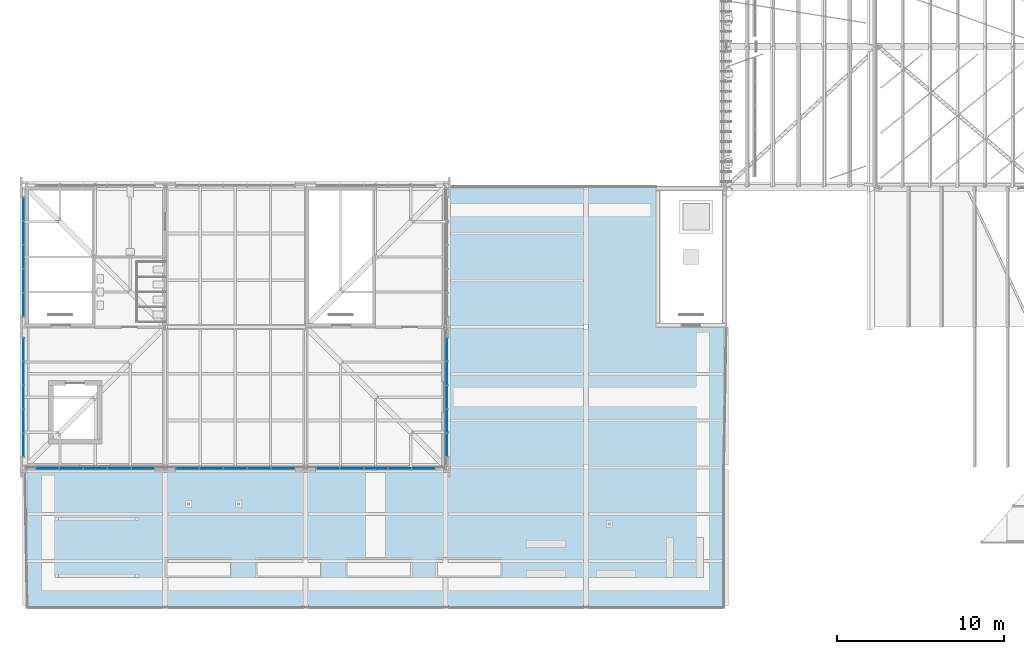
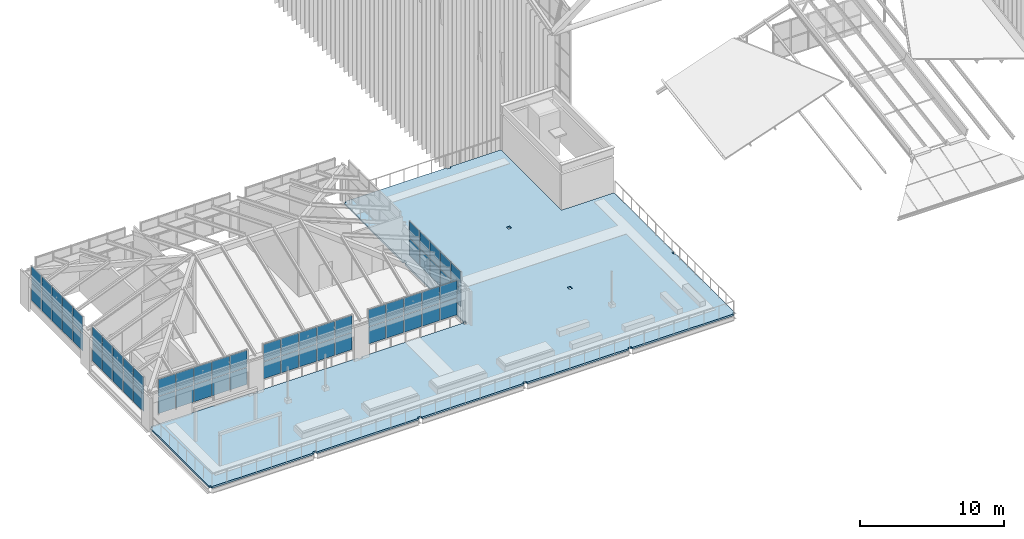
# One storey, part 69 of 126: 60 plates, 1 slab, 6 elements without a shape of their own.
"""IFC4 building model written with IfcOpenShell, lengths in metres."""

from ifc_helpers import new_model, si_unit, direction, frame, origin, origin_2d, place, context, subcontext, project, spatial, polyline, rectangle, outline, extrude, material, layer, layer_set, type_object, element, aggregate, save


model = new_model("IFC4")

# Units and contexts
model_context = context("Model", 3, precision=1e-05, world=origin(), true_north=direction((0.0, 1.0)))
body_context = subcontext(model_context, "Body", "Model", "MODEL_VIEW")
ifc_project = project(units=[si_unit("LENGTHUNIT", "METRE"), si_unit("AREAUNIT", "SQUARE_METRE"), si_unit("VOLUMEUNIT", "CUBIC_METRE"), si_unit("PLANEANGLEUNIT", "RADIAN"), si_unit("MASSUNIT", "GRAM", prefix="KILO")], contexts=[model_context])

# Site, building, storey
site_placement = place(None, origin())
site = spatial("IfcSite", under=ifc_project, at=site_placement, CompositionType="ELEMENT")
building_placement = place(site_placement, origin())
building = spatial("IfcBuilding", under=site, at=building_placement, Name="Sava Quay Ferry Terminal", CompositionType="ELEMENT")
storey_placement = place(building_placement, frame((0.0, 0.0, 15.0)))
storey = spatial("IfcBuildingStorey", under=building, at=storey_placement, Name="L03", CompositionType="ELEMENT", Elevation=15.0)

# Slab
ifc_material_1 = material(Name="Concrete C30/37", Category="concrete")
ifc_layer_1 = layer(ifc_material_1, 0.14990234375)
ifc_layer_set_1 = layer_set([ifc_layer_1], Name="Concrete C30/37")
slab_type = type_object("IfcSlabType", Name="Composite terrace slab 150", PredefinedType="ROOF", material=ifc_layer_set_1)
slab_placement = place(storey_placement, frame((0.0, 0.0, -0.14990234375)))
element("IfcSlab", 1, at=slab_placement, inside=storey, type_object=slab_type, Name="TX terrace slab L03", PredefinedType="ROOF", context=body_context, shape_type="SweptSolid", body=[
    extrude(outline(polyline([(42.0, 33.739990234375), (41.860107421875, 33.739990234375), (41.860107421875, 33.4599609375), (42.0, 33.4599609375), (42.0, 25.340087890625), (41.860107421875, 25.340087890625), (41.860107421875, 25.199951171875), (33.739990234375, 25.199951171875), (33.739990234375, 25.340087890625), (33.4599609375, 25.340087890625), (33.4599609375, 25.199951171875), (25.340087890625, 25.199951171875), (25.340087890625, 25.340087890625), (25.06005859375, 25.340087890625), (25.06005859375, 25.199951171875), (16.93994140625, 25.199951171875), (16.93994140625, 25.340087890625), (16.659912109375, 25.340087890625), (16.659912109375, 25.199951171875), (8.5400390625, 25.199951171875), (8.5400390625, 25.340087890625), (8.260009765625, 25.340087890625), (8.260009765625, 25.199951171875), (0.139892578125, 25.199951171875), (0.139892578125, 25.340087890625), (0.0, 25.340087890625), (0.0, 33.4599609375), (0.139892578125, 33.4599609375), (0.139892578125, 33.60009765625), (8.260009765625, 33.60009765625), (8.260009765625, 33.4599609375), (8.5400390625, 33.4599609375), (8.5400390625, 33.60009765625), (16.659912109375, 33.60009765625), (16.659912109375, 33.4599609375), (16.93994140625, 33.4599609375), (16.93994140625, 33.60009765625), (25.06005859375, 33.60009765625), (25.06005859375, 33.4599609375), (25.340087890625, 33.4599609375), (25.340087890625, 33.739990234375), (25.199951171875, 33.739990234375), (25.199951171875, 41.860107421875), (25.340087890625, 41.860107421875), (25.340087890625, 42.139892578125), (25.199951171875, 42.139892578125), (25.199951171875, 50.260009765625), (25.340087890625, 50.260009765625), (25.340087890625, 50.39990234375), (33.4599609375, 50.39990234375), (33.4599609375, 50.260009765625), (33.739990234375, 50.260009765625), (33.739990234375, 50.39990234375), (37.800048828125, 50.39990234375), (37.800048828125, 42.0), (42.0, 42.0), (42.0, 33.739990234375)]), holes=[polyline([(33.4599609375, 33.4599609375), (33.739990234375, 33.4599609375), (33.739990234375, 33.739990234375), (33.4599609375, 33.739990234375), (33.4599609375, 33.4599609375)]), polyline([(33.4599609375, 41.860107421875), (33.739990234375, 41.860107421875), (33.739990234375, 42.139892578125), (33.4599609375, 42.139892578125), (33.4599609375, 41.860107421875)])]), origin(), (0.0, 0.0, 1.0), 0.14990234375),
])

# Curtain wall, plates
ifc_material_2 = material(Name="Aluminium and glass curtain wall, double low-e glazed", Category="aluminium")
curtain_wall_type = type_object("IfcCurtainWallType", Name="Curtain wall CW-F flank", PredefinedType="NOTDEFINED", material=ifc_material_2)
curtain_wall_1_placement = place(storey_placement, origin())
curtain_wall_1 = element("IfcCurtainWall", 2, at=curtain_wall_1_placement, inside=storey, type_object=curtain_wall_type, Name="Curtain wall W-PAV-E L03 bay 1", PredefinedType="NOTDEFINED")
ifc_material_3 = material(Name="Laminated glass, double low-e glazed unit", Category="glass")
ifc_layer_2 = layer(ifc_material_3, 0.028076171875)
ifc_layer_set_2 = layer_set([ifc_layer_2], Name="Laminated glass, double low-e glazed unit")
plate_type = type_object("IfcPlateType", Name="Glass panel 28 double low-e", PredefinedType="CURTAIN_PANEL", material=ifc_layer_set_2)
plate_1_placement = place(storey_placement, frame((25.284912109375, 34.93505859375, 0.9501953125), z_axis=(0.0, 0.0, 1.0), x_axis=(0.0, 1.0, 0.0)))
plate_1 = element("IfcPlate", 3, at=plate_1_placement, type_object=plate_type, Name="CW121 panel 1.1", PredefinedType="CURTAIN_PANEL", context=body_context, shape_type="SweptSolid", body=[
    extrude(rectangle(XDim=1.35009765625, YDim=0.028076171875, at=origin_2d()), origin(), (0.0, 0.0, 1.0), 1.425048828125),
])
plate_2_placement = place(storey_placement, frame((25.284912109375, 34.93505859375, 2.4248046875), z_axis=(0.0, 0.0, 1.0), x_axis=(0.0, 1.0, 0.0)))
plate_2 = element("IfcPlate", 4, at=plate_2_placement, type_object=plate_type, Name="CW121 panel 1.2", PredefinedType="CURTAIN_PANEL", context=body_context, shape_type="SweptSolid", body=[
    extrude(rectangle(XDim=1.35009765625, YDim=0.028076171875, at=origin_2d()), origin(), (0.0, 0.0, 1.0), 1.425048828125),
])
plate_3_placement = place(storey_placement, frame((25.284912109375, 36.360107421875, 0.9501953125), z_axis=(0.0, 0.0, 1.0), x_axis=(0.0, 1.0, 0.0)))
plate_3 = element("IfcPlate", 5, at=plate_3_placement, type_object=plate_type, Name="CW121 panel 2.1", PredefinedType="CURTAIN_PANEL", context=body_context, shape_type="SweptSolid", body=[
    extrude(rectangle(XDim=1.3798828125, YDim=0.028076171875, at=origin_2d()), origin(), (0.0, 0.0, 1.0), 1.425048828125),
])
plate_4_placement = place(storey_placement, frame((25.284912109375, 36.360107421875, 2.4248046875), z_axis=(0.0, 0.0, 1.0), x_axis=(0.0, 1.0, 0.0)))
plate_4 = element("IfcPlate", 6, at=plate_4_placement, type_object=plate_type, Name="CW121 panel 2.2", PredefinedType="CURTAIN_PANEL", context=body_context, shape_type="SweptSolid", body=[
    extrude(rectangle(XDim=1.3798828125, YDim=0.028076171875, at=origin_2d()), origin(), (0.0, 0.0, 1.0), 1.425048828125),
])
plate_5_placement = place(storey_placement, frame((25.284912109375, 37.800048828125, 0.9501953125), z_axis=(0.0, 0.0, 1.0), x_axis=(0.0, 1.0, 0.0)))
plate_5 = element("IfcPlate", 7, at=plate_5_placement, type_object=plate_type, Name="CW121 panel 3.1", PredefinedType="CURTAIN_PANEL", context=body_context, shape_type="SweptSolid", body=[
    extrude(rectangle(XDim=1.3798828125, YDim=0.028076171875, at=origin_2d()), origin(), (0.0, 0.0, 1.0), 1.425048828125),
])
plate_6_placement = place(storey_placement, frame((25.284912109375, 37.800048828125, 2.4248046875), z_axis=(0.0, 0.0, 1.0), x_axis=(0.0, 1.0, 0.0)))
plate_6 = element("IfcPlate", 8, at=plate_6_placement, type_object=plate_type, Name="CW121 panel 3.2", PredefinedType="CURTAIN_PANEL", context=body_context, shape_type="SweptSolid", body=[
    extrude(rectangle(XDim=1.3798828125, YDim=0.028076171875, at=origin_2d()), origin(), (0.0, 0.0, 1.0), 1.425048828125),
])
plate_7_placement = place(storey_placement, frame((25.284912109375, 39.239990234375, 0.9501953125), z_axis=(0.0, 0.0, 1.0), x_axis=(0.0, 1.0, 0.0)))
plate_7 = element("IfcPlate", 9, at=plate_7_placement, type_object=plate_type, Name="CW121 panel 4.1", PredefinedType="CURTAIN_PANEL", context=body_context, shape_type="SweptSolid", body=[
    extrude(rectangle(XDim=1.3798828125, YDim=0.028076171875, at=origin_2d()), origin(), (0.0, 0.0, 1.0), 1.425048828125),
])
plate_8_placement = place(storey_placement, frame((25.284912109375, 39.239990234375, 2.4248046875), z_axis=(0.0, 0.0, 1.0), x_axis=(0.0, 1.0, 0.0)))
plate_8 = element("IfcPlate", 10, at=plate_8_placement, type_object=plate_type, Name="CW121 panel 4.2", PredefinedType="CURTAIN_PANEL", context=body_context, shape_type="SweptSolid", body=[
    extrude(rectangle(XDim=1.3798828125, YDim=0.028076171875, at=origin_2d()), origin(), (0.0, 0.0, 1.0), 1.425048828125),
])
plate_9_placement = place(storey_placement, frame((25.284912109375, 40.6650390625, 0.9501953125), z_axis=(0.0, 0.0, 1.0), x_axis=(0.0, 1.0, 0.0)))
plate_9 = element("IfcPlate", 11, at=plate_9_placement, type_object=plate_type, Name="CW121 panel 5.1", PredefinedType="CURTAIN_PANEL", context=body_context, shape_type="SweptSolid", body=[
    extrude(rectangle(XDim=1.35009765625, YDim=0.028076171875, at=origin_2d()), origin(), (0.0, 0.0, 1.0), 1.425048828125),
])
plate_10_placement = place(storey_placement, frame((25.284912109375, 40.6650390625, 2.4248046875), z_axis=(0.0, 0.0, 1.0), x_axis=(0.0, 1.0, 0.0)))
plate_10 = element("IfcPlate", 12, at=plate_10_placement, type_object=plate_type, Name="CW121 panel 5.2", PredefinedType="CURTAIN_PANEL", context=body_context, shape_type="SweptSolid", body=[
    extrude(rectangle(XDim=1.35009765625, YDim=0.028076171875, at=origin_2d()), origin(), (0.0, 0.0, 1.0), 1.425048828125),
])
aggregate(curtain_wall_1, [plate_1, plate_2, plate_3, plate_4, plate_5, plate_6, plate_7, plate_8, plate_9, plate_10])

curtain_wall_2_placement = place(storey_placement, origin())
curtain_wall_2 = element("IfcCurtainWall", 13, at=curtain_wall_2_placement, inside=storey, type_object=curtain_wall_type, Name="Curtain wall W-PAV-S L03 bay 1", PredefinedType="NOTDEFINED")
plate_11_placement = place(storey_placement, frame((1.3349609375, 33.514892578125, 0.9501953125), z_axis=(0.0, 0.0, 1.0), x_axis=(1.0, 0.0, 0.0)))
plate_11 = element("IfcPlate", 14, at=plate_11_placement, type_object=plate_type, Name="CW126 panel 1.1", PredefinedType="CURTAIN_PANEL", context=body_context, shape_type="SweptSolid", body=[
    extrude(rectangle(XDim=1.35009765625, YDim=0.028076171875, at=origin_2d()), origin(), (0.0, 0.0, 1.0), 1.425048828125),
])
plate_12_placement = place(storey_placement, frame((1.3349609375, 33.514892578125, 2.4248046875), z_axis=(0.0, 0.0, 1.0), x_axis=(1.0, 0.0, 0.0)))
plate_12 = element("IfcPlate", 15, at=plate_12_placement, type_object=plate_type, Name="CW126 panel 1.2", PredefinedType="CURTAIN_PANEL", context=body_context, shape_type="SweptSolid", body=[
    extrude(rectangle(XDim=1.35009765625, YDim=0.028076171875, at=origin_2d()), origin(), (0.0, 0.0, 1.0), 1.425048828125),
])
plate_13_placement = place(storey_placement, frame((2.760009765625, 33.514892578125, 0.9501953125), z_axis=(0.0, 0.0, 1.0), x_axis=(1.0, 0.0, 0.0)))
plate_13 = element("IfcPlate", 16, at=plate_13_placement, type_object=plate_type, Name="CW126 panel 2.1", PredefinedType="CURTAIN_PANEL", context=body_context, shape_type="SweptSolid", body=[
    extrude(rectangle(XDim=1.3798828125, YDim=0.028076171875, at=origin_2d()), origin(), (0.0, 0.0, 1.0), 1.425048828125),
])
plate_14_placement = place(storey_placement, frame((2.760009765625, 33.514892578125, 2.4248046875), z_axis=(0.0, 0.0, 1.0), x_axis=(1.0, 0.0, 0.0)))
plate_14 = element("IfcPlate", 17, at=plate_14_placement, type_object=plate_type, Name="CW126 panel 2.2", PredefinedType="CURTAIN_PANEL", context=body_context, shape_type="SweptSolid", body=[
    extrude(rectangle(XDim=1.3798828125, YDim=0.028076171875, at=origin_2d()), origin(), (0.0, 0.0, 1.0), 1.425048828125),
])
plate_15_placement = place(storey_placement, frame((4.199951171875, 33.514892578125, 0.9501953125), z_axis=(0.0, 0.0, 1.0), x_axis=(1.0, 0.0, 0.0)))
plate_15 = element("IfcPlate", 18, at=plate_15_placement, type_object=plate_type, Name="CW126 panel 3.1", PredefinedType="CURTAIN_PANEL", context=body_context, shape_type="SweptSolid", body=[
    extrude(rectangle(XDim=1.3798828125, YDim=0.028076171875, at=origin_2d()), origin(), (0.0, 0.0, 1.0), 1.425048828125),
])
plate_16_placement = place(storey_placement, frame((4.199951171875, 33.514892578125, 2.4248046875), z_axis=(0.0, 0.0, 1.0), x_axis=(1.0, 0.0, 0.0)))
plate_16 = element("IfcPlate", 19, at=plate_16_placement, type_object=plate_type, Name="CW126 panel 3.2", PredefinedType="CURTAIN_PANEL", context=body_context, shape_type="SweptSolid", body=[
    extrude(rectangle(XDim=1.3798828125, YDim=0.028076171875, at=origin_2d()), origin(), (0.0, 0.0, 1.0), 1.425048828125),
])
plate_17_placement = place(storey_placement, frame((5.639892578125, 33.514892578125, 0.9501953125), z_axis=(0.0, 0.0, 1.0), x_axis=(1.0, 0.0, 0.0)))
plate_17 = element("IfcPlate", 20, at=plate_17_placement, type_object=plate_type, Name="CW126 panel 4.1", PredefinedType="CURTAIN_PANEL", context=body_context, shape_type="SweptSolid", body=[
    extrude(rectangle(XDim=1.3798828125, YDim=0.028076171875, at=origin_2d()), origin(), (0.0, 0.0, 1.0), 1.425048828125),
])
plate_18_placement = place(storey_placement, frame((5.639892578125, 33.514892578125, 2.4248046875), z_axis=(0.0, 0.0, 1.0), x_axis=(1.0, 0.0, 0.0)))
plate_18 = element("IfcPlate", 21, at=plate_18_placement, type_object=plate_type, Name="CW126 panel 4.2", PredefinedType="CURTAIN_PANEL", context=body_context, shape_type="SweptSolid", body=[
    extrude(rectangle(XDim=1.3798828125, YDim=0.028076171875, at=origin_2d()), origin(), (0.0, 0.0, 1.0), 1.425048828125),
])
plate_19_placement = place(storey_placement, frame((7.06494140625, 33.514892578125, 0.9501953125), z_axis=(0.0, 0.0, 1.0), x_axis=(1.0, 0.0, 0.0)))
plate_19 = element("IfcPlate", 22, at=plate_19_placement, type_object=plate_type, Name="CW126 panel 5.1", PredefinedType="CURTAIN_PANEL", context=body_context, shape_type="SweptSolid", body=[
    extrude(rectangle(XDim=1.35009765625, YDim=0.028076171875, at=origin_2d()), origin(), (0.0, 0.0, 1.0), 1.425048828125),
])
plate_20_placement = place(storey_placement, frame((7.06494140625, 33.514892578125, 2.4248046875), z_axis=(0.0, 0.0, 1.0), x_axis=(1.0, 0.0, 0.0)))
plate_20 = element("IfcPlate", 23, at=plate_20_placement, type_object=plate_type, Name="CW126 panel 5.2", PredefinedType="CURTAIN_PANEL", context=body_context, shape_type="SweptSolid", body=[
    extrude(rectangle(XDim=1.35009765625, YDim=0.028076171875, at=origin_2d()), origin(), (0.0, 0.0, 1.0), 1.425048828125),
])
aggregate(curtain_wall_2, [plate_11, plate_12, plate_13, plate_14, plate_15, plate_16, plate_17, plate_18, plate_19, plate_20])

curtain_wall_3_placement = place(storey_placement, origin())
curtain_wall_3 = element("IfcCurtainWall", 24, at=curtain_wall_3_placement, inside=storey, type_object=curtain_wall_type, Name="Curtain wall W-PAV-S L03 bay 2", PredefinedType="NOTDEFINED")
plate_21_placement = place(storey_placement, frame((9.735107421875, 33.514892578125, 0.9501953125), z_axis=(0.0, 0.0, 1.0), x_axis=(1.0, 0.0, 0.0)))
plate_21 = element("IfcPlate", 25, at=plate_21_placement, type_object=plate_type, Name="CW127 panel 1.1", PredefinedType="CURTAIN_PANEL", context=body_context, shape_type="SweptSolid", body=[
    extrude(rectangle(XDim=1.35009765625, YDim=0.028076171875, at=origin_2d()), origin(), (0.0, 0.0, 1.0), 1.425048828125),
])
plate_22_placement = place(storey_placement, frame((9.735107421875, 33.514892578125, 2.4248046875), z_axis=(0.0, 0.0, 1.0), x_axis=(1.0, 0.0, 0.0)))
plate_22 = element("IfcPlate", 26, at=plate_22_placement, type_object=plate_type, Name="CW127 panel 1.2", PredefinedType="CURTAIN_PANEL", context=body_context, shape_type="SweptSolid", body=[
    extrude(rectangle(XDim=1.35009765625, YDim=0.028076171875, at=origin_2d()), origin(), (0.0, 0.0, 1.0), 1.425048828125),
])
plate_23_placement = place(storey_placement, frame((11.159912109375, 33.514892578125, 0.9501953125), z_axis=(0.0, 0.0, 1.0), x_axis=(1.0, 0.0, 0.0)))
plate_23 = element("IfcPlate", 27, at=plate_23_placement, type_object=plate_type, Name="CW127 panel 2.1", PredefinedType="CURTAIN_PANEL", context=body_context, shape_type="SweptSolid", body=[
    extrude(rectangle(XDim=1.3798828125, YDim=0.028076171875, at=origin_2d()), origin(), (0.0, 0.0, 1.0), 1.425048828125),
])
plate_24_placement = place(storey_placement, frame((11.159912109375, 33.514892578125, 2.4248046875), z_axis=(0.0, 0.0, 1.0), x_axis=(1.0, 0.0, 0.0)))
plate_24 = element("IfcPlate", 28, at=plate_24_placement, type_object=plate_type, Name="CW127 panel 2.2", PredefinedType="CURTAIN_PANEL", context=body_context, shape_type="SweptSolid", body=[
    extrude(rectangle(XDim=1.3798828125, YDim=0.028076171875, at=origin_2d()), origin(), (0.0, 0.0, 1.0), 1.425048828125),
])
plate_25_placement = place(storey_placement, frame((12.60009765625, 33.514892578125, 0.9501953125), z_axis=(0.0, 0.0, 1.0), x_axis=(1.0, 0.0, 0.0)))
plate_25 = element("IfcPlate", 29, at=plate_25_placement, type_object=plate_type, Name="CW127 panel 3.1", PredefinedType="CURTAIN_PANEL", context=body_context, shape_type="SweptSolid", body=[
    extrude(rectangle(XDim=1.3798828125, YDim=0.028076171875, at=origin_2d()), origin(), (0.0, 0.0, 1.0), 1.425048828125),
])
plate_26_placement = place(storey_placement, frame((12.60009765625, 33.514892578125, 2.4248046875), z_axis=(0.0, 0.0, 1.0), x_axis=(1.0, 0.0, 0.0)))
plate_26 = element("IfcPlate", 30, at=plate_26_placement, type_object=plate_type, Name="CW127 panel 3.2", PredefinedType="CURTAIN_PANEL", context=body_context, shape_type="SweptSolid", body=[
    extrude(rectangle(XDim=1.3798828125, YDim=0.028076171875, at=origin_2d()), origin(), (0.0, 0.0, 1.0), 1.425048828125),
])
plate_27_placement = place(storey_placement, frame((14.0400390625, 33.514892578125, 0.9501953125), z_axis=(0.0, 0.0, 1.0), x_axis=(1.0, 0.0, 0.0)))
plate_27 = element("IfcPlate", 31, at=plate_27_placement, type_object=plate_type, Name="CW127 panel 4.1", PredefinedType="CURTAIN_PANEL", context=body_context, shape_type="SweptSolid", body=[
    extrude(rectangle(XDim=1.3798828125, YDim=0.028076171875, at=origin_2d()), origin(), (0.0, 0.0, 1.0), 1.425048828125),
])
plate_28_placement = place(storey_placement, frame((14.0400390625, 33.514892578125, 2.4248046875), z_axis=(0.0, 0.0, 1.0), x_axis=(1.0, 0.0, 0.0)))
plate_28 = element("IfcPlate", 32, at=plate_28_placement, type_object=plate_type, Name="CW127 panel 4.2", PredefinedType="CURTAIN_PANEL", context=body_context, shape_type="SweptSolid", body=[
    extrude(rectangle(XDim=1.3798828125, YDim=0.028076171875, at=origin_2d()), origin(), (0.0, 0.0, 1.0), 1.425048828125),
])
plate_29_placement = place(storey_placement, frame((15.465087890625, 33.514892578125, 0.9501953125), z_axis=(0.0, 0.0, 1.0), x_axis=(1.0, 0.0, 0.0)))
plate_29 = element("IfcPlate", 33, at=plate_29_placement, type_object=plate_type, Name="CW127 panel 5.1", PredefinedType="CURTAIN_PANEL", context=body_context, shape_type="SweptSolid", body=[
    extrude(rectangle(XDim=1.35009765625, YDim=0.028076171875, at=origin_2d()), origin(), (0.0, 0.0, 1.0), 1.425048828125),
])
plate_30_placement = place(storey_placement, frame((15.465087890625, 33.514892578125, 2.4248046875), z_axis=(0.0, 0.0, 1.0), x_axis=(1.0, 0.0, 0.0)))
plate_30 = element("IfcPlate", 34, at=plate_30_placement, type_object=plate_type, Name="CW127 panel 5.2", PredefinedType="CURTAIN_PANEL", context=body_context, shape_type="SweptSolid", body=[
    extrude(rectangle(XDim=1.35009765625, YDim=0.028076171875, at=origin_2d()), origin(), (0.0, 0.0, 1.0), 1.425048828125),
])
aggregate(curtain_wall_3, [plate_21, plate_22, plate_23, plate_24, plate_25, plate_26, plate_27, plate_28, plate_29, plate_30])

curtain_wall_4_placement = place(storey_placement, origin())
curtain_wall_4 = element("IfcCurtainWall", 35, at=curtain_wall_4_placement, inside=storey, type_object=curtain_wall_type, Name="Curtain wall W-PAV-S L03 bay 3", PredefinedType="NOTDEFINED")
plate_31_placement = place(storey_placement, frame((18.135009765625, 33.514892578125, 0.9501953125), z_axis=(0.0, 0.0, 1.0), x_axis=(1.0, 0.0, 0.0)))
plate_31 = element("IfcPlate", 36, at=plate_31_placement, type_object=plate_type, Name="CW128 panel 1.1", PredefinedType="CURTAIN_PANEL", context=body_context, shape_type="SweptSolid", body=[
    extrude(rectangle(XDim=1.35009765625, YDim=0.028076171875, at=origin_2d()), origin(), (0.0, 0.0, 1.0), 1.425048828125),
])
plate_32_placement = place(storey_placement, frame((18.135009765625, 33.514892578125, 2.4248046875), z_axis=(0.0, 0.0, 1.0), x_axis=(1.0, 0.0, 0.0)))
plate_32 = element("IfcPlate", 37, at=plate_32_placement, type_object=plate_type, Name="CW128 panel 1.2", PredefinedType="CURTAIN_PANEL", context=body_context, shape_type="SweptSolid", body=[
    extrude(rectangle(XDim=1.35009765625, YDim=0.028076171875, at=origin_2d()), origin(), (0.0, 0.0, 1.0), 1.425048828125),
])
plate_33_placement = place(storey_placement, frame((19.56005859375, 33.514892578125, 0.9501953125), z_axis=(0.0, 0.0, 1.0), x_axis=(1.0, 0.0, 0.0)))
plate_33 = element("IfcPlate", 38, at=plate_33_placement, type_object=plate_type, Name="CW128 panel 2.1", PredefinedType="CURTAIN_PANEL", context=body_context, shape_type="SweptSolid", body=[
    extrude(rectangle(XDim=1.3798828125, YDim=0.028076171875, at=origin_2d()), origin(), (0.0, 0.0, 1.0), 1.425048828125),
])
plate_34_placement = place(storey_placement, frame((19.56005859375, 33.514892578125, 2.4248046875), z_axis=(0.0, 0.0, 1.0), x_axis=(1.0, 0.0, 0.0)))
plate_34 = element("IfcPlate", 39, at=plate_34_placement, type_object=plate_type, Name="CW128 panel 2.2", PredefinedType="CURTAIN_PANEL", context=body_context, shape_type="SweptSolid", body=[
    extrude(rectangle(XDim=1.3798828125, YDim=0.028076171875, at=origin_2d()), origin(), (0.0, 0.0, 1.0), 1.425048828125),
])
plate_35_placement = place(storey_placement, frame((21.0, 33.514892578125, 0.9501953125), z_axis=(0.0, 0.0, 1.0), x_axis=(1.0, 0.0, 0.0)))
plate_35 = element("IfcPlate", 40, at=plate_35_placement, type_object=plate_type, Name="CW128 panel 3.1", PredefinedType="CURTAIN_PANEL", context=body_context, shape_type="SweptSolid", body=[
    extrude(rectangle(XDim=1.3798828125, YDim=0.028076171875, at=origin_2d()), origin(), (0.0, 0.0, 1.0), 1.425048828125),
])
plate_36_placement = place(storey_placement, frame((21.0, 33.514892578125, 2.4248046875), z_axis=(0.0, 0.0, 1.0), x_axis=(1.0, 0.0, 0.0)))
plate_36 = element("IfcPlate", 41, at=plate_36_placement, type_object=plate_type, Name="CW128 panel 3.2", PredefinedType="CURTAIN_PANEL", context=body_context, shape_type="SweptSolid", body=[
    extrude(rectangle(XDim=1.3798828125, YDim=0.028076171875, at=origin_2d()), origin(), (0.0, 0.0, 1.0), 1.425048828125),
])
plate_37_placement = place(storey_placement, frame((22.43994140625, 33.514892578125, 0.9501953125), z_axis=(0.0, 0.0, 1.0), x_axis=(1.0, 0.0, 0.0)))
plate_37 = element("IfcPlate", 42, at=plate_37_placement, type_object=plate_type, Name="CW128 panel 4.1", PredefinedType="CURTAIN_PANEL", context=body_context, shape_type="SweptSolid", body=[
    extrude(rectangle(XDim=1.3798828125, YDim=0.028076171875, at=origin_2d()), origin(), (0.0, 0.0, 1.0), 1.425048828125),
])
plate_38_placement = place(storey_placement, frame((22.43994140625, 33.514892578125, 2.4248046875), z_axis=(0.0, 0.0, 1.0), x_axis=(1.0, 0.0, 0.0)))
plate_38 = element("IfcPlate", 43, at=plate_38_placement, type_object=plate_type, Name="CW128 panel 4.2", PredefinedType="CURTAIN_PANEL", context=body_context, shape_type="SweptSolid", body=[
    extrude(rectangle(XDim=1.3798828125, YDim=0.028076171875, at=origin_2d()), origin(), (0.0, 0.0, 1.0), 1.425048828125),
])
plate_39_placement = place(storey_placement, frame((23.864990234375, 33.514892578125, 0.9501953125), z_axis=(0.0, 0.0, 1.0), x_axis=(1.0, 0.0, 0.0)))
plate_39 = element("IfcPlate", 44, at=plate_39_placement, type_object=plate_type, Name="CW128 panel 5.1", PredefinedType="CURTAIN_PANEL", context=body_context, shape_type="SweptSolid", body=[
    extrude(rectangle(XDim=1.35009765625, YDim=0.028076171875, at=origin_2d()), origin(), (0.0, 0.0, 1.0), 1.425048828125),
])
plate_40_placement = place(storey_placement, frame((23.864990234375, 33.514892578125, 2.4248046875), z_axis=(0.0, 0.0, 1.0), x_axis=(1.0, 0.0, 0.0)))
plate_40 = element("IfcPlate", 45, at=plate_40_placement, type_object=plate_type, Name="CW128 panel 5.2", PredefinedType="CURTAIN_PANEL", context=body_context, shape_type="SweptSolid", body=[
    extrude(rectangle(XDim=1.35009765625, YDim=0.028076171875, at=origin_2d()), origin(), (0.0, 0.0, 1.0), 1.425048828125),
])
aggregate(curtain_wall_4, [plate_31, plate_32, plate_33, plate_34, plate_35, plate_36, plate_37, plate_38, plate_39, plate_40])

curtain_wall_5_placement = place(storey_placement, origin())
curtain_wall_5 = element("IfcCurtainWall", 46, at=curtain_wall_5_placement, inside=storey, type_object=curtain_wall_type, Name="Curtain wall W-PAV-W L03 bay 1", PredefinedType="NOTDEFINED")
plate_41_placement = place(storey_placement, frame((-0.0849609375, 34.93505859375, 0.9501953125), z_axis=(0.0, 0.0, 1.0), x_axis=(0.0, 1.0, 0.0)))
plate_41 = element("IfcPlate", 47, at=plate_41_placement, type_object=plate_type, Name="CW129 panel 1.1", PredefinedType="CURTAIN_PANEL", context=body_context, shape_type="SweptSolid", body=[
    extrude(rectangle(XDim=1.35009765625, YDim=0.028076171875, at=origin_2d()), origin(), (0.0, 0.0, 1.0), 1.425048828125),
])
plate_42_placement = place(storey_placement, frame((-0.0849609375, 34.93505859375, 2.4248046875), z_axis=(0.0, 0.0, 1.0), x_axis=(0.0, 1.0, 0.0)))
plate_42 = element("IfcPlate", 48, at=plate_42_placement, type_object=plate_type, Name="CW129 panel 1.2", PredefinedType="CURTAIN_PANEL", context=body_context, shape_type="SweptSolid", body=[
    extrude(rectangle(XDim=1.35009765625, YDim=0.028076171875, at=origin_2d()), origin(), (0.0, 0.0, 1.0), 1.425048828125),
])
plate_43_placement = place(storey_placement, frame((-0.0849609375, 36.360107421875, 0.9501953125), z_axis=(0.0, 0.0, 1.0), x_axis=(0.0, 1.0, 0.0)))
plate_43 = element("IfcPlate", 49, at=plate_43_placement, type_object=plate_type, Name="CW129 panel 2.1", PredefinedType="CURTAIN_PANEL", context=body_context, shape_type="SweptSolid", body=[
    extrude(rectangle(XDim=1.3798828125, YDim=0.028076171875, at=origin_2d()), origin(), (0.0, 0.0, 1.0), 1.425048828125),
])
plate_44_placement = place(storey_placement, frame((-0.0849609375, 36.360107421875, 2.4248046875), z_axis=(0.0, 0.0, 1.0), x_axis=(0.0, 1.0, 0.0)))
plate_44 = element("IfcPlate", 50, at=plate_44_placement, type_object=plate_type, Name="CW129 panel 2.2", PredefinedType="CURTAIN_PANEL", context=body_context, shape_type="SweptSolid", body=[
    extrude(rectangle(XDim=1.3798828125, YDim=0.028076171875, at=origin_2d()), origin(), (0.0, 0.0, 1.0), 1.425048828125),
])
plate_45_placement = place(storey_placement, frame((-0.0849609375, 37.800048828125, 0.9501953125), z_axis=(0.0, 0.0, 1.0), x_axis=(0.0, 1.0, 0.0)))
plate_45 = element("IfcPlate", 51, at=plate_45_placement, type_object=plate_type, Name="CW129 panel 3.1", PredefinedType="CURTAIN_PANEL", context=body_context, shape_type="SweptSolid", body=[
    extrude(rectangle(XDim=1.3798828125, YDim=0.028076171875, at=origin_2d()), origin(), (0.0, 0.0, 1.0), 1.425048828125),
])
plate_46_placement = place(storey_placement, frame((-0.0849609375, 37.800048828125, 2.4248046875), z_axis=(0.0, 0.0, 1.0), x_axis=(0.0, 1.0, 0.0)))
plate_46 = element("IfcPlate", 52, at=plate_46_placement, type_object=plate_type, Name="CW129 panel 3.2", PredefinedType="CURTAIN_PANEL", context=body_context, shape_type="SweptSolid", body=[
    extrude(rectangle(XDim=1.3798828125, YDim=0.028076171875, at=origin_2d()), origin(), (0.0, 0.0, 1.0), 1.425048828125),
])
plate_47_placement = place(storey_placement, frame((-0.0849609375, 39.239990234375, 0.9501953125), z_axis=(0.0, 0.0, 1.0), x_axis=(0.0, 1.0, 0.0)))
plate_47 = element("IfcPlate", 53, at=plate_47_placement, type_object=plate_type, Name="CW129 panel 4.1", PredefinedType="CURTAIN_PANEL", context=body_context, shape_type="SweptSolid", body=[
    extrude(rectangle(XDim=1.3798828125, YDim=0.028076171875, at=origin_2d()), origin(), (0.0, 0.0, 1.0), 1.425048828125),
])
plate_48_placement = place(storey_placement, frame((-0.0849609375, 39.239990234375, 2.4248046875), z_axis=(0.0, 0.0, 1.0), x_axis=(0.0, 1.0, 0.0)))
plate_48 = element("IfcPlate", 54, at=plate_48_placement, type_object=plate_type, Name="CW129 panel 4.2", PredefinedType="CURTAIN_PANEL", context=body_context, shape_type="SweptSolid", body=[
    extrude(rectangle(XDim=1.3798828125, YDim=0.028076171875, at=origin_2d()), origin(), (0.0, 0.0, 1.0), 1.425048828125),
])
plate_49_placement = place(storey_placement, frame((-0.0849609375, 40.6650390625, 0.9501953125), z_axis=(0.0, 0.0, 1.0), x_axis=(0.0, 1.0, 0.0)))
plate_49 = element("IfcPlate", 55, at=plate_49_placement, type_object=plate_type, Name="CW129 panel 5.1", PredefinedType="CURTAIN_PANEL", context=body_context, shape_type="SweptSolid", body=[
    extrude(rectangle(XDim=1.35009765625, YDim=0.028076171875, at=origin_2d()), origin(), (0.0, 0.0, 1.0), 1.425048828125),
])
plate_50_placement = place(storey_placement, frame((-0.0849609375, 40.6650390625, 2.4248046875), z_axis=(0.0, 0.0, 1.0), x_axis=(0.0, 1.0, 0.0)))
plate_50 = element("IfcPlate", 56, at=plate_50_placement, type_object=plate_type, Name="CW129 panel 5.2", PredefinedType="CURTAIN_PANEL", context=body_context, shape_type="SweptSolid", body=[
    extrude(rectangle(XDim=1.35009765625, YDim=0.028076171875, at=origin_2d()), origin(), (0.0, 0.0, 1.0), 1.425048828125),
])
aggregate(curtain_wall_5, [plate_41, plate_42, plate_43, plate_44, plate_45, plate_46, plate_47, plate_48, plate_49, plate_50])

curtain_wall_6_placement = place(storey_placement, origin())
curtain_wall_6 = element("IfcCurtainWall", 57, at=curtain_wall_6_placement, inside=storey, type_object=curtain_wall_type, Name="Curtain wall W-PAV-W L03 bay 2", PredefinedType="NOTDEFINED")
plate_51_placement = place(storey_placement, frame((-0.0849609375, 43.3349609375, 0.9501953125), z_axis=(0.0, 0.0, 1.0), x_axis=(0.0, 1.0, 0.0)))
plate_51 = element("IfcPlate", 58, at=plate_51_placement, type_object=plate_type, Name="CW130 panel 1.1", PredefinedType="CURTAIN_PANEL", context=body_context, shape_type="SweptSolid", body=[
    extrude(rectangle(XDim=1.35009765625, YDim=0.028076171875, at=origin_2d()), origin(), (0.0, 0.0, 1.0), 1.425048828125),
])
plate_52_placement = place(storey_placement, frame((-0.0849609375, 43.3349609375, 2.4248046875), z_axis=(0.0, 0.0, 1.0), x_axis=(0.0, 1.0, 0.0)))
plate_52 = element("IfcPlate", 59, at=plate_52_placement, type_object=plate_type, Name="CW130 panel 1.2", PredefinedType="CURTAIN_PANEL", context=body_context, shape_type="SweptSolid", body=[
    extrude(rectangle(XDim=1.35009765625, YDim=0.028076171875, at=origin_2d()), origin(), (0.0, 0.0, 1.0), 1.425048828125),
])
plate_53_placement = place(storey_placement, frame((-0.0849609375, 44.760009765625, 0.9501953125), z_axis=(0.0, 0.0, 1.0), x_axis=(0.0, 1.0, 0.0)))
plate_53 = element("IfcPlate", 60, at=plate_53_placement, type_object=plate_type, Name="CW130 panel 2.1", PredefinedType="CURTAIN_PANEL", context=body_context, shape_type="SweptSolid", body=[
    extrude(rectangle(XDim=1.3798828125, YDim=0.028076171875, at=origin_2d()), origin(), (0.0, 0.0, 1.0), 1.425048828125),
])
plate_54_placement = place(storey_placement, frame((-0.0849609375, 44.760009765625, 2.4248046875), z_axis=(0.0, 0.0, 1.0), x_axis=(0.0, 1.0, 0.0)))
plate_54 = element("IfcPlate", 61, at=plate_54_placement, type_object=plate_type, Name="CW130 panel 2.2", PredefinedType="CURTAIN_PANEL", context=body_context, shape_type="SweptSolid", body=[
    extrude(rectangle(XDim=1.3798828125, YDim=0.028076171875, at=origin_2d()), origin(), (0.0, 0.0, 1.0), 1.425048828125),
])
plate_55_placement = place(storey_placement, frame((-0.0849609375, 46.199951171875, 0.9501953125), z_axis=(0.0, 0.0, 1.0), x_axis=(0.0, 1.0, 0.0)))
plate_55 = element("IfcPlate", 62, at=plate_55_placement, type_object=plate_type, Name="CW130 panel 3.1", PredefinedType="CURTAIN_PANEL", context=body_context, shape_type="SweptSolid", body=[
    extrude(rectangle(XDim=1.3798828125, YDim=0.028076171875, at=origin_2d()), origin(), (0.0, 0.0, 1.0), 1.425048828125),
])
plate_56_placement = place(storey_placement, frame((-0.0849609375, 46.199951171875, 2.4248046875), z_axis=(0.0, 0.0, 1.0), x_axis=(0.0, 1.0, 0.0)))
plate_56 = element("IfcPlate", 63, at=plate_56_placement, type_object=plate_type, Name="CW130 panel 3.2", PredefinedType="CURTAIN_PANEL", context=body_context, shape_type="SweptSolid", body=[
    extrude(rectangle(XDim=1.3798828125, YDim=0.028076171875, at=origin_2d()), origin(), (0.0, 0.0, 1.0), 1.425048828125),
])
plate_57_placement = place(storey_placement, frame((-0.0849609375, 47.639892578125, 0.9501953125), z_axis=(0.0, 0.0, 1.0), x_axis=(0.0, 1.0, 0.0)))
plate_57 = element("IfcPlate", 64, at=plate_57_placement, type_object=plate_type, Name="CW130 panel 4.1", PredefinedType="CURTAIN_PANEL", context=body_context, shape_type="SweptSolid", body=[
    extrude(rectangle(XDim=1.3798828125, YDim=0.028076171875, at=origin_2d()), origin(), (0.0, 0.0, 1.0), 1.425048828125),
])
plate_58_placement = place(storey_placement, frame((-0.0849609375, 47.639892578125, 2.4248046875), z_axis=(0.0, 0.0, 1.0), x_axis=(0.0, 1.0, 0.0)))
plate_58 = element("IfcPlate", 65, at=plate_58_placement, type_object=plate_type, Name="CW130 panel 4.2", PredefinedType="CURTAIN_PANEL", context=body_context, shape_type="SweptSolid", body=[
    extrude(rectangle(XDim=1.3798828125, YDim=0.028076171875, at=origin_2d()), origin(), (0.0, 0.0, 1.0), 1.425048828125),
])
plate_59_placement = place(storey_placement, frame((-0.0849609375, 49.06494140625, 0.9501953125), z_axis=(0.0, 0.0, 1.0), x_axis=(0.0, 1.0, 0.0)))
plate_59 = element("IfcPlate", 66, at=plate_59_placement, type_object=plate_type, Name="CW130 panel 5.1", PredefinedType="CURTAIN_PANEL", context=body_context, shape_type="SweptSolid", body=[
    extrude(rectangle(XDim=1.35009765625, YDim=0.028076171875, at=origin_2d()), origin(), (0.0, 0.0, 1.0), 1.425048828125),
])
plate_60_placement = place(storey_placement, frame((-0.0849609375, 49.06494140625, 2.4248046875), z_axis=(0.0, 0.0, 1.0), x_axis=(0.0, 1.0, 0.0)))
plate_60 = element("IfcPlate", 67, at=plate_60_placement, type_object=plate_type, Name="CW130 panel 5.2", PredefinedType="CURTAIN_PANEL", context=body_context, shape_type="SweptSolid", body=[
    extrude(rectangle(XDim=1.35009765625, YDim=0.028076171875, at=origin_2d()), origin(), (0.0, 0.0, 1.0), 1.425048828125),
])
aggregate(curtain_wall_6, [plate_51, plate_52, plate_53, plate_54, plate_55, plate_56, plate_57, plate_58, plate_59, plate_60])

save(model, "model.ifc")
